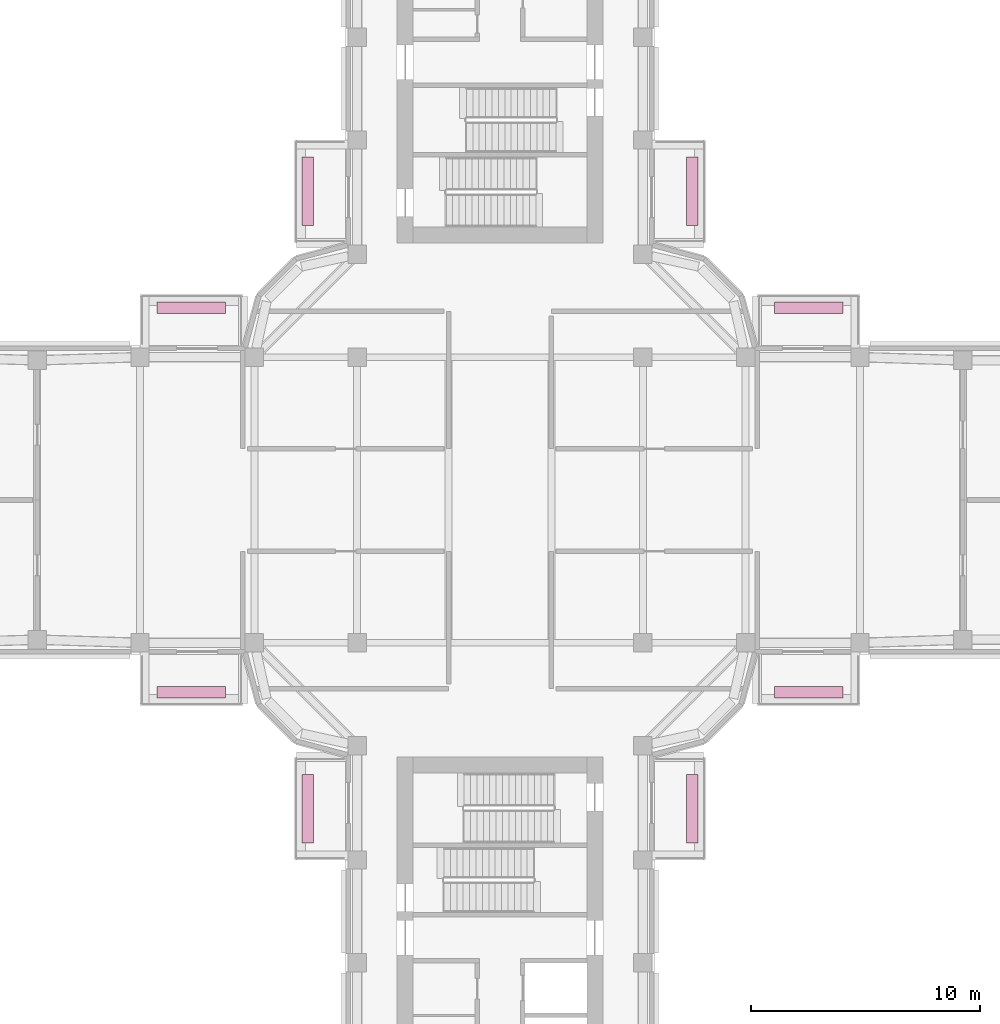
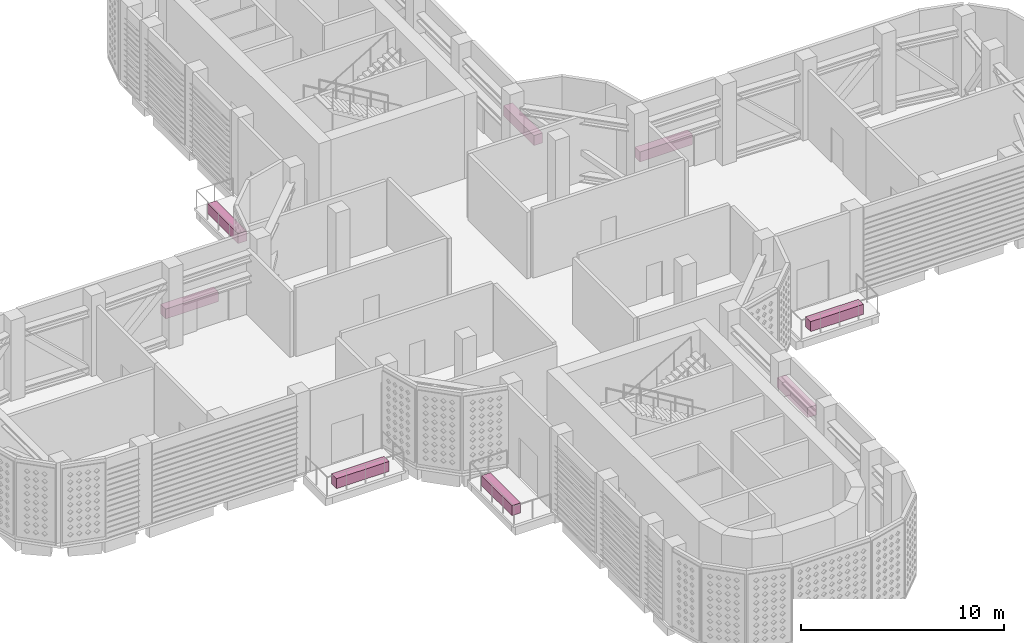
# One storey, part 21 of 21: 8 furniture elements.
"""IFC4 building model written with IfcOpenShell, lengths in metres."""

from ifc_helpers import new_model, si_unit, direction, frame, origin, origin_2d, place, context, subcontext, project, spatial, rectangle, extrude, material, type_object, element, save


model = new_model("IFC4")

# Units and contexts
model_context = context("Model", 3, precision=1e-05, world=origin(), true_north=direction((0.0, 1.0)))
body_context = subcontext(model_context, "Body", "Model", "MODEL_VIEW")
ifc_project = project(units=[si_unit("LENGTHUNIT", "METRE"), si_unit("AREAUNIT", "SQUARE_METRE"), si_unit("VOLUMEUNIT", "CUBIC_METRE"), si_unit("PLANEANGLEUNIT", "RADIAN"), si_unit("MASSUNIT", "GRAM", prefix="KILO")], contexts=[model_context])

# Site, building, storey
site_placement = place(None, origin())
site = spatial("IfcSite", under=ifc_project, at=site_placement, CompositionType="ELEMENT")
building_placement = place(site_placement, origin())
building = spatial("IfcBuilding", under=site, at=building_placement, Name="Zarbagh Exchange Tower", CompositionType="ELEMENT")
storey_placement = place(building_placement, frame((0.0, 0.0, 190.39990234375)))
storey = spatial("IfcBuildingStorey", under=building, at=storey_placement, Name="L46", CompositionType="ELEMENT", Elevation=190.39990234375)

# Furniture
ifc_material = material(Name="Concrete C40/50", Category="concrete")
furniture_type = type_object("IfcFurnitureType", Name="PLANTER planting bed, concrete trough", AssemblyPlace="NOTDEFINED", PredefinedType="USERDEFINED", material=ifc_material)
for number, where, z_axis, x_axis, name in (
    (1, (8.419921875, 13.5, 0.0), (0.0, 0.0, 1.0), (0.0, -1.0, 0.0), "planter"),
    (2, (13.5, 8.419921875, 0.0), (0.0, 0.0, 1.0), (1.0, 0.0, 0.0), "planter"),
    (3, (8.419921875, -13.5, 0.0), (0.0, 0.0, 1.0), (0.0, -1.0, 0.0), "planter"),
    (4, (13.5, -8.419921875, 0.0), (0.0, 0.0, 1.0), (-1.0, 0.0, 0.0), "planter"),
    (5, (-8.419921875, 13.5, 0.0), (0.0, 0.0, 1.0), (0.0, 1.0, 0.0), "planter"),
    (6, (-13.5, 8.419921875, 0.0), (0.0, 0.0, 1.0), (1.0, 0.0, 0.0), "planter"),
    (7, (-8.419921875, -13.5, 0.0), (0.0, 0.0, 1.0), (0.0, 1.0, 0.0), "planter"),
    (8, (-13.5, -8.419921875, 0.0), (0.0, 0.0, 1.0), (-1.0, 0.0, 0.0), "planter"),
):
    element("IfcFurniture", number, at=place(storey_placement, frame(where, z_axis=z_axis, x_axis=x_axis)), inside=storey, type_object=furniture_type, Name=name, ObjectType="PLANTER", PredefinedType="USERDEFINED", context=body_context, shape_type="SweptSolid", body=[
        extrude(rectangle(XDim=3.0, YDim=0.5, at=origin_2d()), origin(), (0.0, 0.0, 1.0), 0.60009765625),
    ])

save(model, "model.ifc")
